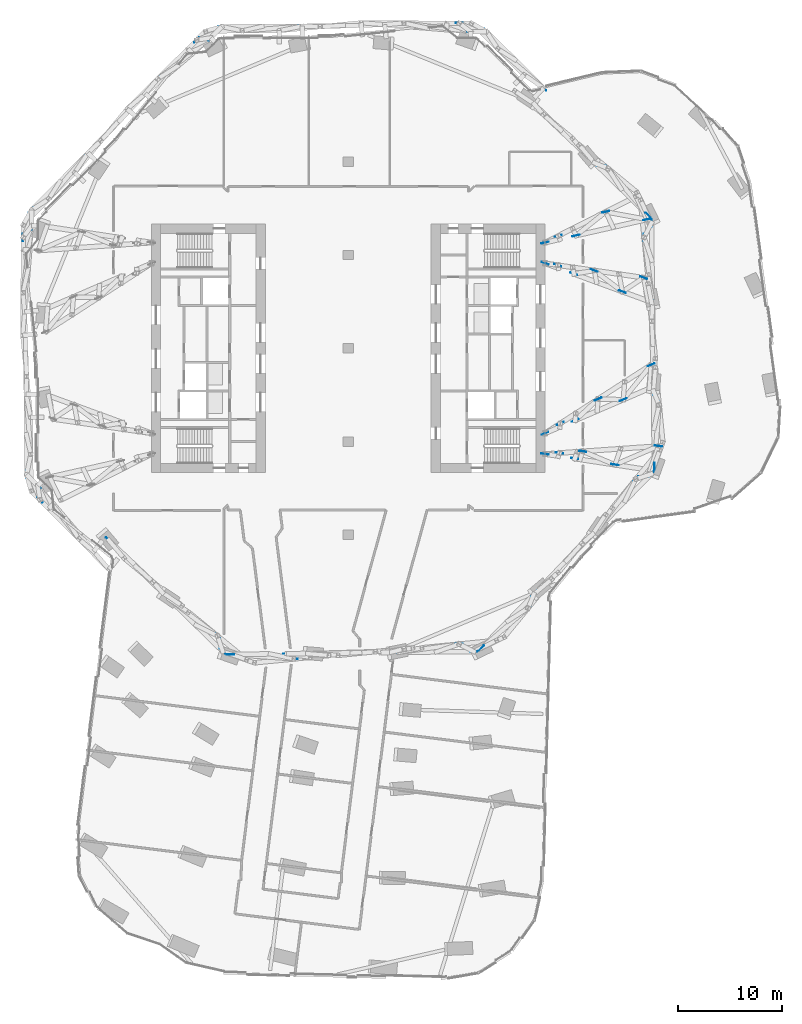
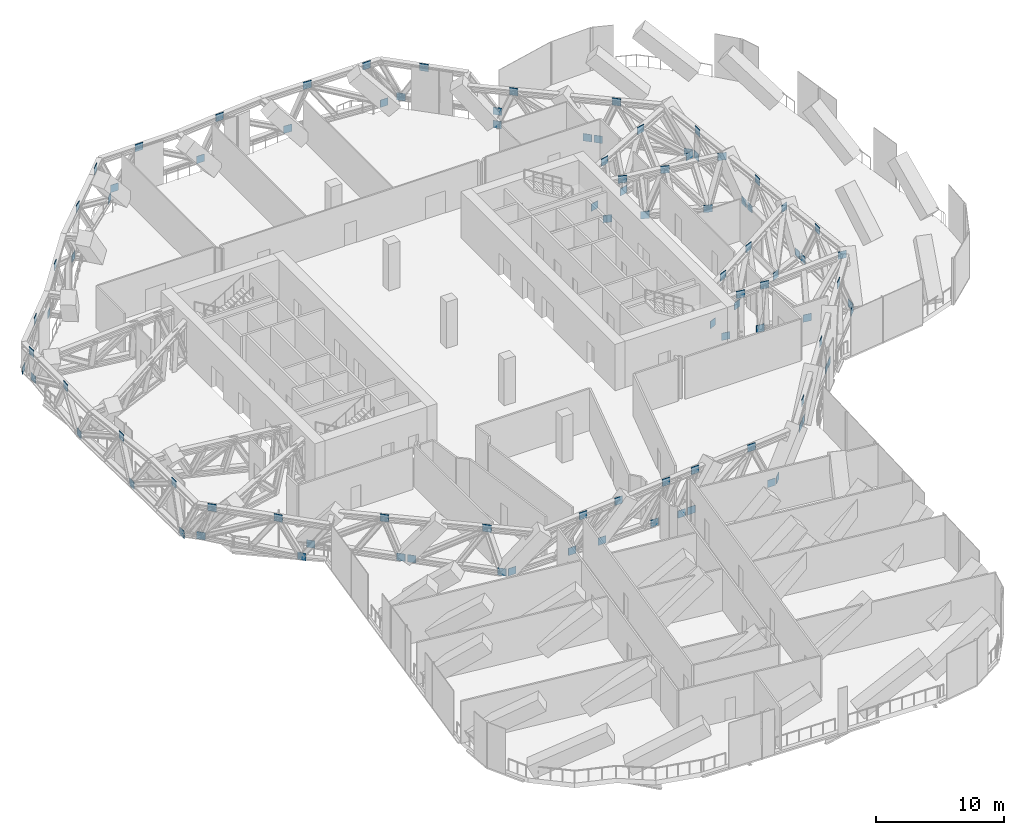
# One storey, part 23 of 27: 2 discrete accessories.
"""IFC4 building model written with IfcOpenShell, lengths in metres."""

from ifc_helpers import new_model, si_unit, direction, frame, origin, origin_2d, place, context, subcontext, project, spatial, rectangle, extrude, material, layer, layer_set, type_object, element, save


model = new_model("IFC4")

# Units and contexts
model_context = context("Model", 3, precision=1e-05, world=origin(), true_north=direction((0.0, 1.0)))
body_context = subcontext(model_context, "Body", "Model", "MODEL_VIEW")
ifc_project = project(units=[si_unit("LENGTHUNIT", "METRE"), si_unit("AREAUNIT", "SQUARE_METRE"), si_unit("VOLUMEUNIT", "CUBIC_METRE"), si_unit("PLANEANGLEUNIT", "RADIAN"), si_unit("MASSUNIT", "GRAM", prefix="KILO")], contexts=[model_context])

# Site, building, storey
site_placement = place(None, origin())
site = spatial("IfcSite", under=ifc_project, at=site_placement, CompositionType="ELEMENT")
building_placement = place(site_placement, origin())
building = spatial("IfcBuilding", under=site, at=building_placement, Name="Orlundy Tower", CompositionType="ELEMENT")
storey_placement = place(building_placement, frame((0.0, 0.0, 206.10009765625)))
storey = spatial("IfcBuildingStorey", under=building, at=storey_placement, Name="L54", CompositionType="ELEMENT", Elevation=206.10009765625)

# Discrete accessories
ifc_material = material(Name="Steel ASTM A572 Gr 50", Category="steel")
ifc_layer = layer(ifc_material, 0.0400390625)
ifc_layer_set = layer_set([ifc_layer], Name="CONNECTION PLATES")
discrete_accessory_type = type_object("IfcDiscreteAccessoryType", Name="CONNECTION PLATES", PredefinedType="ANCHORPLATE", material=ifc_layer_set)
discrete_accessory_1_placement = place(storey_placement, frame((0.0, 0.0, -206.10009765625)))
element("IfcDiscreteAccessory", 1, at=discrete_accessory_1_placement, inside=storey, type_object=discrete_accessory_type, Name="Connection plates BELT-L54", PredefinedType="ANCHORPLATE", context=body_context, shape_type="SweptSolid", body=[
    extrude(rectangle(XDim=0.699951171875, YDim=0.0400390625, at=origin_2d()), frame((-31.0869140625, -4.426513671875, 206.03466796875), z_axis=(0.0, 0.0, 1.0), x_axis=(0.005846819681, -0.999982907204, 0.0)), (0.0, 0.0, 1.0), 0.699951171875),
    extrude(rectangle(XDim=0.699951171875, YDim=0.0400390625, at=origin_2d()), frame((-30.62890625, -10.22265625, 209.46533203125), z_axis=(0.0, 0.0, 1.0), x_axis=(0.005846819681, -0.999982907204, 0.0)), (0.0, 0.0, 1.0), 0.699951171875),
    extrude(rectangle(XDim=0.699951171875, YDim=0.0400390625, at=origin_2d()), frame((-31.04150390625, -12.184814453125, 206.03466796875), z_axis=(0.0, 0.0, 1.0), x_axis=(0.005846819681, -0.999982907204, 0.0)), (0.0, 0.0, 1.0), 0.699951171875),
    extrude(rectangle(XDim=0.699951171875, YDim=0.0400390625, at=origin_2d()), frame((-29.751220703125, -14.620361328125, 209.46533203125), z_axis=(0.0, 0.0, 1.0), x_axis=(0.71120448222, -0.702985195058, 0.0)), (0.0, 0.0, 1.0), 0.699951171875),
    extrude(rectangle(XDim=0.699951171875, YDim=0.0400390625, at=origin_2d()), frame((-29.956787109375, -13.2568359375, 206.03466796875), z_axis=(0.0, 0.0, 1.0), x_axis=(0.71120448222, -0.702985195058, 0.0)), (0.0, 0.0, 1.0), 0.699951171875),
    extrude(rectangle(XDim=0.699951171875, YDim=0.0400390625, at=origin_2d()), frame((-25.988525390625, -18.404296875, 209.46533203125), z_axis=(0.0, 0.0, 1.0), x_axis=(0.648013563939, -0.761628794723, 0.0)), (0.0, 0.0, 1.0), 0.699951171875),
    extrude(rectangle(XDim=0.699951171875, YDim=0.0400390625, at=origin_2d()), frame((-24.5625, -19.596923828125, 206.03466796875), z_axis=(0.0, 0.0, 1.0), x_axis=(0.648013563939, -0.761628794723, 0.0)), (0.0, 0.0, 1.0), 0.699951171875),
    extrude(rectangle(XDim=0.699951171875, YDim=0.0400390625, at=origin_2d()), frame((-23.119140625, -18.50634765625, 206.03466796875), z_axis=(0.0, 0.0, 1.0), x_axis=(0.715692733704, -0.698415285431, 0.0)), (0.0, 0.0, 1.0), 0.699951171875),
    extrude(rectangle(XDim=0.699951171875, YDim=0.0400390625, at=origin_2d()), frame((-18.839111328125, -22.54638671875, 209.46533203125), z_axis=(0.0, 0.0, 1.0), x_axis=(0.715692733704, -0.698415285431, 0.0)), (0.0, 0.0, 1.0), 0.699951171875),
    extrude(rectangle(XDim=0.699951171875, YDim=0.0400390625, at=origin_2d()), frame((-17.9365234375, -23.563720703125, 206.03466796875), z_axis=(0.0, 0.0, 1.0), x_axis=(0.715692733704, -0.698415285431, 0.0)), (0.0, 0.0, 1.0), 0.699951171875),
    extrude(rectangle(XDim=0.699951171875, YDim=0.0400390625, at=origin_2d()), frame((-17.310302734375, -24.1748046875, 206.03466796875), z_axis=(0.0, 0.0, 1.0), x_axis=(0.715692733704, -0.698415285431, 0.0)), (0.0, 0.0, 1.0), 0.699951171875),
    extrude(rectangle(XDim=0.699951171875, YDim=0.0400390625, at=origin_2d()), frame((-12.61279296875, -27.748779296875, 209.46533203125), z_axis=(0.0, 0.0, 1.0), x_axis=(0.715692733704, -0.698415285431, 0.0)), (0.0, 0.0, 1.0), 0.699951171875),
    extrude(rectangle(XDim=0.699951171875, YDim=0.0400390625, at=origin_2d()), frame((-12.1279296875, -29.23193359375, 206.03466796875), z_axis=(0.0, 0.0, 1.0), x_axis=(0.715692733704, -0.698415285431, 0.0)), (0.0, 0.0, 1.0), 0.699951171875),
    extrude(rectangle(XDim=0.699951171875, YDim=0.0400390625, at=origin_2d()), frame((-11.37744140625, -29.531982421875, 206.03466796875), z_axis=(0.0, 0.0, 1.0), x_axis=(0.999925795505, 0.012182096848, 0.0)), (0.0, 0.0, 1.0), 0.699951171875),
    extrude(rectangle(XDim=0.699951171875, YDim=0.0400390625, at=origin_2d()), frame((-5.247314453125, -29.966796875, 209.46533203125), z_axis=(0.0, 0.0, 1.0), x_axis=(0.999925795505, 0.012182096848, 0.0)), (0.0, 0.0, 1.0), 0.699951171875),
    extrude(rectangle(XDim=0.699951171875, YDim=0.0400390625, at=origin_2d()), frame((-5.94384765625, -29.4658203125, 206.03466796875), z_axis=(0.0, 0.0, 1.0), x_axis=(0.999925795505, 0.012182096848, 0.0)), (0.0, 0.0, 1.0), 0.699951171875),
    extrude(rectangle(XDim=0.699951171875, YDim=0.0400390625, at=origin_2d()), frame((-1.8564453125, -29.631103515625, 209.46533203125), z_axis=(0.0, 0.0, 1.0), x_axis=(0.999925795505, 0.012182096848, 0.0)), (0.0, 0.0, 1.0), 0.699951171875),
    extrude(rectangle(XDim=0.699951171875, YDim=0.0400390625, at=origin_2d()), frame((-3.26123046875, -29.43310546875, 206.03466796875), z_axis=(0.0, 0.0, 1.0), x_axis=(0.999925795505, 0.012182096848, 0.0)), (0.0, 0.0, 1.0), 0.699951171875),
    extrude(rectangle(XDim=0.699951171875, YDim=0.0400390625, at=origin_2d()), frame((2.621337890625, -29.263916015625, 209.46533203125), z_axis=(0.0, 0.0, 1.0), x_axis=(0.999925795505, 0.012182096848, 0.0)), (0.0, 0.0, 1.0), 0.699951171875),
    extrude(rectangle(XDim=0.699951171875, YDim=0.0400390625, at=origin_2d()), frame((1.5302734375, -29.374755859375, 206.03466796875), z_axis=(0.0, 0.0, 1.0), x_axis=(0.999925795505, 0.012182096848, 0.0)), (0.0, 0.0, 1.0), 0.699951171875),
    extrude(rectangle(XDim=0.699951171875, YDim=0.0400390625, at=origin_2d()), frame((5.379638671875, -28.9912109375, 209.46533203125), z_axis=(0.0, 0.0, 1.0), x_axis=(0.999925795505, 0.012182096848, 0.0)), (0.0, 0.0, 1.0), 0.699951171875),
    extrude(rectangle(XDim=0.699951171875, YDim=0.0400390625, at=origin_2d()), frame((3.97900390625, -29.344970703125, 206.03466796875), z_axis=(0.0, 0.0, 1.0), x_axis=(0.999925795505, 0.012182096848, 0.0)), (0.0, 0.0, 1.0), 0.699951171875),
    extrude(rectangle(XDim=0.699951171875, YDim=0.0400390625, at=origin_2d()), frame((4.853759765625, -29.33447265625, 206.03466796875), z_axis=(0.0, 0.0, 1.0), x_axis=(0.999925795505, 0.012182096848, 0.0)), (0.0, 0.0, 1.0), 0.699951171875),
    extrude(rectangle(XDim=0.699951171875, YDim=0.0400390625, at=origin_2d()), frame((10.702392578125, -28.540283203125, 209.46533203125), z_axis=(0.0, 0.0, 1.0), x_axis=(0.999925795505, 0.012182096848, 0.0)), (0.0, 0.0, 1.0), 0.699951171875),
    extrude(rectangle(XDim=0.699951171875, YDim=0.0400390625, at=origin_2d()), frame((12.094970703125, -29.24609375, 206.03466796875), z_axis=(0.0, 0.0, 1.0), x_axis=(0.999925795505, 0.012182096848, 0.0)), (0.0, 0.0, 1.0), 0.699951171875),
    extrude(rectangle(XDim=0.699951171875, YDim=0.0400390625, at=origin_2d()), frame((12.837890625, -28.927734375, 206.03466796875), z_axis=(0.0, 0.0, 1.0), x_axis=(0.698415285431, 0.715692733704, 0.0)), (0.0, 0.0, 1.0), 0.699951171875),
    extrude(rectangle(XDim=0.699951171875, YDim=0.0400390625, at=origin_2d()), frame((17.34375, -25.065185546875, 209.46533203125), z_axis=(0.0, 0.0, 1.0), x_axis=(0.698415285431, 0.715692733704, 0.0)), (0.0, 0.0, 1.0), 0.699951171875),
    extrude(rectangle(XDim=0.699951171875, YDim=0.0400390625, at=origin_2d()), frame((17.895263671875, -23.745361328125, 206.03466796875), z_axis=(0.0, 0.0, 1.0), x_axis=(0.698415285431, 0.715692733704, 0.0)), (0.0, 0.0, 1.0), 0.699951171875),
    extrude(rectangle(XDim=0.699951171875, YDim=0.0400390625, at=origin_2d()), frame((18.50634765625, -23.119140625, 206.03466796875), z_axis=(0.0, 0.0, 1.0), x_axis=(0.698415285431, 0.715692733704, 0.0)), (0.0, 0.0, 1.0), 0.699951171875),
    extrude(rectangle(XDim=0.699951171875, YDim=0.0400390625, at=origin_2d()), frame((22.54638671875, -18.839111328125, 209.46533203125), z_axis=(0.0, 0.0, 1.0), x_axis=(0.698415285431, 0.715692733704, 0.0)), (0.0, 0.0, 1.0), 0.699951171875),
    extrude(rectangle(XDim=0.699951171875, YDim=0.0400390625, at=origin_2d()), frame((23.563720703125, -17.9365234375, 206.03466796875), z_axis=(0.0, 0.0, 1.0), x_axis=(0.698415285431, 0.715692733704, 0.0)), (0.0, 0.0, 1.0), 0.699951171875),
    extrude(rectangle(XDim=0.699951171875, YDim=0.0400390625, at=origin_2d()), frame((24.1748046875, -17.310302734375, 206.03466796875), z_axis=(0.0, 0.0, 1.0), x_axis=(0.698415285431, 0.715692733704, 0.0)), (0.0, 0.0, 1.0), 0.699951171875),
    extrude(rectangle(XDim=0.699951171875, YDim=0.0400390625, at=origin_2d()), frame((27.748779296875, -12.61279296875, 209.46533203125), z_axis=(0.0, 0.0, 1.0), x_axis=(0.698415285431, 0.715692733704, 0.0)), (0.0, 0.0, 1.0), 0.699951171875),
    extrude(rectangle(XDim=0.699951171875, YDim=0.0400390625, at=origin_2d()), frame((29.23193359375, -12.1279296875, 206.03466796875), z_axis=(0.0, 0.0, 1.0), x_axis=(0.698415285431, 0.715692733704, 0.0)), (0.0, 0.0, 1.0), 0.699951171875),
    extrude(rectangle(XDim=0.699951171875, YDim=0.0400390625, at=origin_2d()), frame((29.531982421875, -11.37744140625, 206.03466796875), z_axis=(0.0, 0.0, 1.0), x_axis=(-0.012182096848, 0.999925795505, 0.0)), (0.0, 0.0, 1.0), 0.699951171875),
    extrude(rectangle(XDim=0.699951171875, YDim=0.0400390625, at=origin_2d()), frame((29.98779296875, -5.45947265625, 209.46533203125), z_axis=(0.0, 0.0, 1.0), x_axis=(-0.012182096848, 0.999925795505, 0.0)), (0.0, 0.0, 1.0), 0.699951171875),
    extrude(rectangle(XDim=0.699951171875, YDim=0.0400390625, at=origin_2d()), frame((29.44384765625, -4.13623046875, 206.03466796875), z_axis=(0.0, 0.0, 1.0), x_axis=(-0.012182096848, 0.999925795505, 0.0)), (0.0, 0.0, 1.0), 0.699951171875),
    extrude(rectangle(XDim=0.699951171875, YDim=0.0400390625, at=origin_2d()), frame((29.43310546875, -3.26123046875, 206.03466796875), z_axis=(0.0, 0.0, 1.0), x_axis=(-0.012182096848, 0.999925795505, 0.0)), (0.0, 0.0, 1.0), 0.699951171875),
    extrude(rectangle(XDim=0.699951171875, YDim=0.0400390625, at=origin_2d()), frame((29.263916015625, 2.621337890625, 209.46533203125), z_axis=(0.0, 0.0, 1.0), x_axis=(-0.012182096848, 0.999925795505, 0.0)), (0.0, 0.0, 1.0), 0.699951171875),
    extrude(rectangle(XDim=0.699951171875, YDim=0.0400390625, at=origin_2d()), frame((29.344970703125, 3.97900390625, 206.03466796875), z_axis=(0.0, 0.0, 1.0), x_axis=(-0.012182096848, 0.999925795505, 0.0)), (0.0, 0.0, 1.0), 0.699951171875),
    extrude(rectangle(XDim=0.699951171875, YDim=0.0400390625, at=origin_2d()), frame((29.33447265625, 4.853759765625, 206.03466796875), z_axis=(0.0, 0.0, 1.0), x_axis=(-0.012182096848, 0.999925795505, 0.0)), (0.0, 0.0, 1.0), 0.699951171875),
    extrude(rectangle(XDim=0.699951171875, YDim=0.0400390625, at=origin_2d()), frame((28.540283203125, 10.702392578125, 209.46533203125), z_axis=(0.0, 0.0, 1.0), x_axis=(-0.012182096848, 0.999925795505, 0.0)), (0.0, 0.0, 1.0), 0.699951171875),
    extrude(rectangle(XDim=0.699951171875, YDim=0.0400390625, at=origin_2d()), frame((29.24609375, 12.094970703125, 206.03466796875), z_axis=(0.0, 0.0, 1.0), x_axis=(-0.012182096848, 0.999925795505, 0.0)), (0.0, 0.0, 1.0), 0.699951171875),
    extrude(rectangle(XDim=0.699951171875, YDim=0.0400390625, at=origin_2d()), frame((28.927734375, 12.837890625, 206.03466796875), z_axis=(0.0, 0.0, 1.0), x_axis=(-0.715692733704, 0.698415285431, 0.0)), (0.0, 0.0, 1.0), 0.699951171875),
    extrude(rectangle(XDim=0.699951171875, YDim=0.0400390625, at=origin_2d()), frame((25.065185546875, 17.34375, 209.46533203125), z_axis=(0.0, 0.0, 1.0), x_axis=(-0.715692733704, 0.698415285431, 0.0)), (0.0, 0.0, 1.0), 0.699951171875),
    extrude(rectangle(XDim=0.699951171875, YDim=0.0400390625, at=origin_2d()), frame((23.745361328125, 17.895263671875, 206.03466796875), z_axis=(0.0, 0.0, 1.0), x_axis=(-0.715692733704, 0.698415285431, 0.0)), (0.0, 0.0, 1.0), 0.699951171875),
    extrude(rectangle(XDim=0.699951171875, YDim=0.0400390625, at=origin_2d()), frame((23.119140625, 18.50634765625, 206.03466796875), z_axis=(0.0, 0.0, 1.0), x_axis=(-0.715692733704, 0.698415285431, 0.0)), (0.0, 0.0, 1.0), 0.699951171875),
    extrude(rectangle(XDim=0.699951171875, YDim=0.0400390625, at=origin_2d()), frame((18.839111328125, 22.54638671875, 209.46533203125), z_axis=(0.0, 0.0, 1.0), x_axis=(-0.715692733704, 0.698415285431, 0.0)), (0.0, 0.0, 1.0), 0.699951171875),
    extrude(rectangle(XDim=0.699951171875, YDim=0.0400390625, at=origin_2d()), frame((17.9365234375, 23.563720703125, 206.03466796875), z_axis=(0.0, 0.0, 1.0), x_axis=(-0.715692733704, 0.698415285431, 0.0)), (0.0, 0.0, 1.0), 0.699951171875),
    extrude(rectangle(XDim=0.699951171875, YDim=0.0400390625, at=origin_2d()), frame((18.852294921875, 25.1123046875, 206.03466796875), z_axis=(0.0, 0.0, 1.0), x_axis=(-0.711216751518, 0.702972782091, 0.0)), (0.0, 0.0, 1.0), 0.699951171875),
    extrude(rectangle(XDim=0.699951171875, YDim=0.0400390625, at=origin_2d()), frame((14.42919921875, 28.886962890625, 209.46533203125), z_axis=(0.0, 0.0, 1.0), x_axis=(-0.711216751518, 0.702972782091, 0.0)), (0.0, 0.0, 1.0), 0.699951171875),
    extrude(rectangle(XDim=0.699951171875, YDim=0.0400390625, at=origin_2d()), frame((13.335205078125, 30.5654296875, 206.03466796875), z_axis=(0.0, 0.0, 1.0), x_axis=(-0.711216751518, 0.702972782091, 0.0)), (0.0, 0.0, 1.0), 0.699951171875),
    extrude(rectangle(XDim=0.699951171875, YDim=0.0400390625, at=origin_2d()), frame((10.698974609375, 31.3759765625, 209.46533203125), z_axis=(0.0, 0.0, 1.0), x_axis=(-0.999982805005, -0.005864272674, 0.0)), (0.0, 0.0, 1.0), 0.699951171875),
    extrude(rectangle(XDim=0.699951171875, YDim=0.0400390625, at=origin_2d()), frame((11.808837890625, 30.556396484375, 206.03466796875), z_axis=(0.0, 0.0, 1.0), x_axis=(-0.999982805005, -0.005864272674, 0.0)), (0.0, 0.0, 1.0), 0.699951171875),
    extrude(rectangle(XDim=0.699951171875, YDim=0.0400390625, at=origin_2d()), frame((5.362548828125, 31.39111328125, 209.46533203125), z_axis=(0.0, 0.0, 1.0), x_axis=(-0.996756443827, 0.080477274372, 0.0)), (0.0, 0.0, 1.0), 0.699951171875),
    extrude(rectangle(XDim=0.699951171875, YDim=0.0400390625, at=origin_2d()), frame((3.510986328125, 31.226318359375, 206.03466796875), z_axis=(0.0, 0.0, 1.0), x_axis=(-0.996756443827, 0.080477274372, 0.0)), (0.0, 0.0, 1.0), 0.699951171875),
    extrude(rectangle(XDim=0.699951171875, YDim=0.0400390625, at=origin_2d()), frame((-2.720458984375, 31.031494140625, 209.46533203125), z_axis=(0.0, 0.0, 1.0), x_axis=(-0.999845862062, -0.017557110147, 0.0)), (0.0, 0.0, 1.0), 0.699951171875),
    extrude(rectangle(XDim=0.699951171875, YDim=0.0400390625, at=origin_2d()), frame((-4.426513671875, 31.0869140625, 206.03466796875), z_axis=(0.0, 0.0, 1.0), x_axis=(-0.999845862062, -0.017557110147, 0.0)), (0.0, 0.0, 1.0), 0.699951171875),
    extrude(rectangle(XDim=0.699951171875, YDim=0.0400390625, at=origin_2d()), frame((-10.22265625, 30.62890625, 209.46533203125), z_axis=(0.0, 0.0, 1.0), x_axis=(-0.999982907204, -0.005846819681, 0.0)), (0.0, 0.0, 1.0), 0.699951171875),
    extrude(rectangle(XDim=0.699951171875, YDim=0.0400390625, at=origin_2d()), frame((-12.184814453125, 31.04150390625, 206.03466796875), z_axis=(0.0, 0.0, 1.0), x_axis=(-0.999982907204, -0.005846819681, 0.0)), (0.0, 0.0, 1.0), 0.699951171875),
    extrude(rectangle(XDim=0.699951171875, YDim=0.0400390625, at=origin_2d()), frame((-14.620361328125, 29.751220703125, 209.46533203125), z_axis=(0.0, 0.0, 1.0), x_axis=(-0.702985195058, -0.71120448222, 0.0)), (0.0, 0.0, 1.0), 0.699951171875),
    extrude(rectangle(XDim=0.699951171875, YDim=0.0400390625, at=origin_2d()), frame((-13.2568359375, 29.956787109375, 206.03466796875), z_axis=(0.0, 0.0, 1.0), x_axis=(-0.702985195058, -0.71120448222, 0.0)), (0.0, 0.0, 1.0), 0.699951171875),
    extrude(rectangle(XDim=0.699951171875, YDim=0.0400390625, at=origin_2d()), frame((-18.404296875, 25.98876953125, 209.46533203125), z_axis=(0.0, 0.0, 1.0), x_axis=(-0.761674032748, -0.647960390639, 0.0)), (0.0, 0.0, 1.0), 0.699951171875),
    extrude(rectangle(XDim=0.699951171875, YDim=0.0400390625, at=origin_2d()), frame((-19.597412109375, 24.56298828125, 206.03466796875), z_axis=(0.0, 0.0, 1.0), x_axis=(-0.761674032748, -0.647960390639, 0.0)), (0.0, 0.0, 1.0), 0.699951171875),
    extrude(rectangle(XDim=0.699951171875, YDim=0.0400390625, at=origin_2d()), frame((-23.8662109375, 20.018798828125, 209.46533203125), z_axis=(0.0, 0.0, 1.0), x_axis=(-0.694645815505, -0.719351924305, 0.0)), (0.0, 0.0, 1.0), 0.699951171875),
    extrude(rectangle(XDim=0.699951171875, YDim=0.0400390625, at=origin_2d()), frame((-25.1123046875, 18.852294921875, 206.03466796875), z_axis=(0.0, 0.0, 1.0), x_axis=(-0.694645815505, -0.719351924305, 0.0)), (0.0, 0.0, 1.0), 0.699951171875),
    extrude(rectangle(XDim=0.699951171875, YDim=0.0400390625, at=origin_2d()), frame((-28.886962890625, 14.42919921875, 209.46533203125), z_axis=(0.0, 0.0, 1.0), x_axis=(-0.702985195058, -0.71120448222, 0.0)), (0.0, 0.0, 1.0), 0.699951171875),
    extrude(rectangle(XDim=0.699951171875, YDim=0.0400390625, at=origin_2d()), frame((-30.5654296875, 13.335205078125, 206.03466796875), z_axis=(0.0, 0.0, 1.0), x_axis=(-0.702985195058, -0.71120448222, 0.0)), (0.0, 0.0, 1.0), 0.699951171875),
    extrude(rectangle(XDim=0.699951171875, YDim=0.0400390625, at=origin_2d()), frame((-31.3759765625, 10.698974609375, 209.46533203125), z_axis=(0.0, 0.0, 1.0), x_axis=(0.005864272674, -0.999982805005, 0.0)), (0.0, 0.0, 1.0), 0.699951171875),
    extrude(rectangle(XDim=0.699951171875, YDim=0.0400390625, at=origin_2d()), frame((-30.556396484375, 11.808837890625, 206.03466796875), z_axis=(0.0, 0.0, 1.0), x_axis=(0.005864272674, -0.999982805005, 0.0)), (0.0, 0.0, 1.0), 0.699951171875),
    extrude(rectangle(XDim=0.699951171875, YDim=0.0400390625, at=origin_2d()), frame((-31.39111328125, 5.362548828125, 209.46533203125), z_axis=(0.0, 0.0, 1.0), x_axis=(-0.080477274372, -0.996756443827, 0.0)), (0.0, 0.0, 1.0), 0.699951171875),
    extrude(rectangle(XDim=0.699951171875, YDim=0.0400390625, at=origin_2d()), frame((-31.226318359375, 3.510986328125, 206.03466796875), z_axis=(0.0, 0.0, 1.0), x_axis=(-0.080477274372, -0.996756443827, 0.0)), (0.0, 0.0, 1.0), 0.699951171875),
    extrude(rectangle(XDim=0.699951171875, YDim=0.0400390625, at=origin_2d()), frame((-31.031494140625, -2.720458984375, 209.46533203125), z_axis=(0.0, 0.0, 1.0), x_axis=(0.017557110147, -0.999845862062, 0.0)), (0.0, 0.0, 1.0), 0.699951171875),
])
discrete_accessory_2_placement = place(storey_placement, frame((0.0, 0.0, -206.10009765625)))
element("IfcDiscreteAccessory", 2, at=discrete_accessory_2_placement, inside=storey, type_object=discrete_accessory_type, Name="Connection plates OUTRIG-L54-E", PredefinedType="ANCHORPLATE", context=body_context, shape_type="SweptSolid", body=[
    extrude(rectangle(XDim=0.699951171875, YDim=0.0400390625, at=origin_2d()), frame((18.97998046875, -10.199951171875, 206.03466796875), z_axis=(0.0, 0.0, 1.0), x_axis=(0.988501805452, -0.151209062621, 0.0)), (0.0, 0.0, 1.0), 0.699951171875),
    extrude(rectangle(XDim=0.699951171875, YDim=0.0400390625, at=origin_2d()), frame((20.377685546875, -10.10205078125, 209.46533203125), z_axis=(0.0, 0.0, 1.0), x_axis=(0.988501805452, -0.151209062621, 0.0)), (0.0, 0.0, 1.0), 0.699951171875),
    extrude(rectangle(XDim=0.699951171875, YDim=0.0400390625, at=origin_2d()), frame((21.855712890625, -10.639892578125, 206.03466796875), z_axis=(0.0, 0.0, 1.0), x_axis=(0.988501805452, -0.151209062621, 0.0)), (0.0, 0.0, 1.0), 0.699951171875),
    extrude(rectangle(XDim=0.699951171875, YDim=0.0400390625, at=origin_2d()), frame((22.625732421875, -9.944580078125, 209.46533203125), z_axis=(0.0, 0.0, 1.0), x_axis=(0.988501805452, -0.151209062621, 0.0)), (0.0, 0.0, 1.0), 0.699951171875),
    extrude(rectangle(XDim=0.699951171875, YDim=0.0400390625, at=origin_2d()), frame((25.72998046875, -11.232421875, 206.03466796875), z_axis=(0.0, 0.0, 1.0), x_axis=(0.988501805452, -0.151209062621, 0.0)), (0.0, 0.0, 1.0), 0.699951171875),
    extrude(rectangle(XDim=0.699951171875, YDim=0.0400390625, at=origin_2d()), frame((29.91748046875, -9.433837890625, 209.46533203125), z_axis=(0.0, 0.0, 1.0), x_axis=(0.988501805452, -0.151209062621, 0.0)), (0.0, 0.0, 1.0), 0.699951171875),
    extrude(rectangle(XDim=0.699951171875, YDim=0.0400390625, at=origin_2d()), frame((18.97998046875, -8.199951171875, 206.03466796875), z_axis=(0.0, 0.0, 1.0), x_axis=(0.918543003923, 0.39532107197, 0.0)), (0.0, 0.0, 1.0), 0.699951171875),
    extrude(rectangle(XDim=0.699951171875, YDim=0.0400390625, at=origin_2d()), frame((20.448974609375, -7.25244140625, 209.46533203125), z_axis=(0.0, 0.0, 1.0), x_axis=(0.918543003923, 0.39532107197, 0.0)), (0.0, 0.0, 1.0), 0.699951171875),
    extrude(rectangle(XDim=0.699951171875, YDim=0.0400390625, at=origin_2d()), frame((21.891845703125, -6.94677734375, 206.03466796875), z_axis=(0.0, 0.0, 1.0), x_axis=(0.918543003923, 0.39532107197, 0.0)), (0.0, 0.0, 1.0), 0.699951171875),
    extrude(rectangle(XDim=0.699951171875, YDim=0.0400390625, at=origin_2d()), frame((24.101806640625, -4.89599609375, 209.46533203125), z_axis=(0.0, 0.0, 1.0), x_axis=(0.918543003923, 0.39532107197, 0.0)), (0.0, 0.0, 1.0), 0.699951171875),
    extrude(rectangle(XDim=0.699951171875, YDim=0.0400390625, at=origin_2d()), frame((26.5224609375, -4.953857421875, 206.03466796875), z_axis=(0.0, 0.0, 1.0), x_axis=(0.918543003923, 0.39532107197, 0.0)), (0.0, 0.0, 1.0), 0.699951171875),
    extrude(rectangle(XDim=0.699951171875, YDim=0.0400390625, at=origin_2d()), frame((29.223876953125, -1.592041015625, 209.46533203125), z_axis=(0.0, 0.0, 1.0), x_axis=(0.918543003923, 0.39532107197, 0.0)), (0.0, 0.0, 1.0), 0.699951171875),
    extrude(rectangle(XDim=0.699951171875, YDim=0.0400390625, at=origin_2d()), frame((18.97998046875, 8.199951171875, 206.03466796875), z_axis=(0.0, 0.0, 1.0), x_axis=(0.939315982016, -0.343053182364, 0.0)), (0.0, 0.0, 1.0), 0.699951171875),
    extrude(rectangle(XDim=0.699951171875, YDim=0.0400390625, at=origin_2d()), frame((20.211181640625, 8.020263671875, 209.46533203125), z_axis=(0.0, 0.0, 1.0), x_axis=(0.939315982016, -0.343053182364, 0.0)), (0.0, 0.0, 1.0), 0.699951171875),
    extrude(rectangle(XDim=0.699951171875, YDim=0.0400390625, at=origin_2d()), frame((21.770751953125, 7.180908203125, 206.03466796875), z_axis=(0.0, 0.0, 1.0), x_axis=(0.939315982016, -0.343053182364, 0.0)), (0.0, 0.0, 1.0), 0.699951171875),
    extrude(rectangle(XDim=0.699951171875, YDim=0.0400390625, at=origin_2d()), frame((23.735595703125, 7.505859375, 209.46533203125), z_axis=(0.0, 0.0, 1.0), x_axis=(0.939315982016, -0.343053182364, 0.0)), (0.0, 0.0, 1.0), 0.699951171875),
    extrude(rectangle(XDim=0.699951171875, YDim=0.0400390625, at=origin_2d()), frame((26.441650390625, 5.474853515625, 206.03466796875), z_axis=(0.0, 0.0, 1.0), x_axis=(0.939315982016, -0.343053182364, 0.0)), (0.0, 0.0, 1.0), 0.699951171875),
    extrude(rectangle(XDim=0.699951171875, YDim=0.0400390625, at=origin_2d()), frame((28.491455078125, 6.81201171875, 209.46533203125), z_axis=(0.0, 0.0, 1.0), x_axis=(0.939315982016, -0.343053182364, 0.0)), (0.0, 0.0, 1.0), 0.699951171875),
    extrude(rectangle(XDim=0.699951171875, YDim=0.0400390625, at=origin_2d()), frame((18.97998046875, 10.199951171875, 206.03466796875), z_axis=(0.0, 0.0, 1.0), x_axis=(0.975122279773, 0.221667632934, 0.0)), (0.0, 0.0, 1.0), 0.699951171875),
    extrude(rectangle(XDim=0.699951171875, YDim=0.0400390625, at=origin_2d()), frame((20.25341796875, 10.845458984375, 209.46533203125), z_axis=(0.0, 0.0, 1.0), x_axis=(0.975122279773, 0.221667632934, 0.0)), (0.0, 0.0, 1.0), 0.699951171875),
    extrude(rectangle(XDim=0.699951171875, YDim=0.0400390625, at=origin_2d()), frame((21.9677734375, 10.879150390625, 206.03466796875), z_axis=(0.0, 0.0, 1.0), x_axis=(0.975122279773, 0.221667632934, 0.0)), (0.0, 0.0, 1.0), 0.699951171875),
    extrude(rectangle(XDim=0.699951171875, YDim=0.0400390625, at=origin_2d()), frame((24.82763671875, 13.163818359375, 209.46533203125), z_axis=(0.0, 0.0, 1.0), x_axis=(0.975122279773, 0.221667632934, 0.0)), (0.0, 0.0, 1.0), 0.699951171875),
    extrude(rectangle(XDim=0.699951171875, YDim=0.0400390625, at=origin_2d()), frame((28.814208984375, 12.435546875, 206.03466796875), z_axis=(0.0, 0.0, 1.0), x_axis=(0.975122279773, 0.221667632934, 0.0)), (0.0, 0.0, 1.0), 0.699951171875),
])

save(model, "model.ifc")
